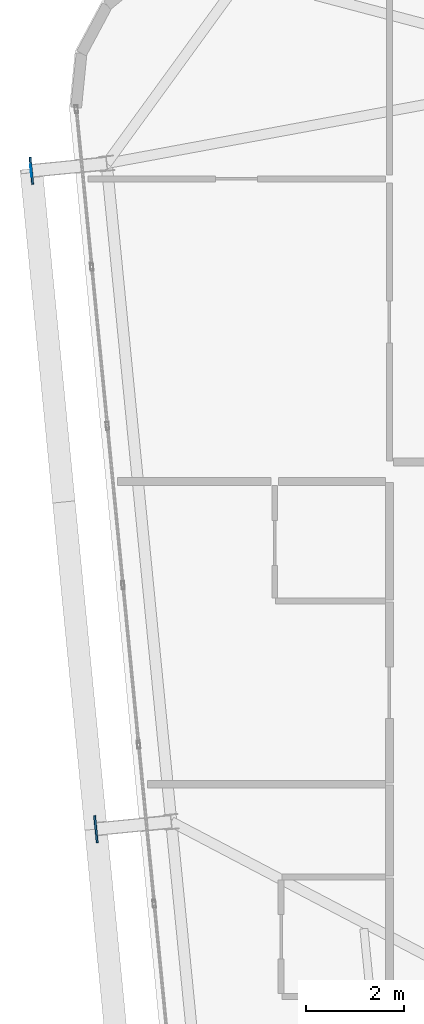
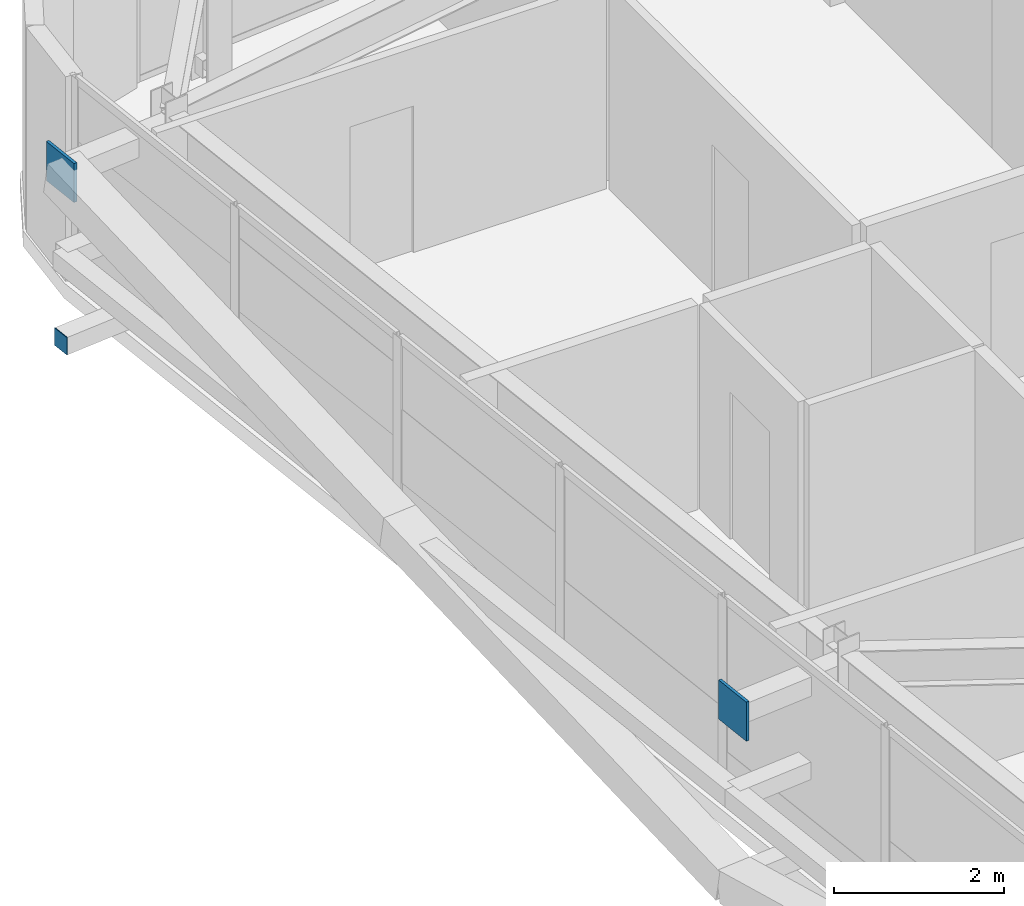
# One storey, part 40 of 53: 3 plates.
"""IFC4 building model written with IfcOpenShell, lengths in metres."""

import ifcopenshell
import ifcopenshell.guid

model = None  # the IFC model being written
_history = None  # IfcOwnerHistory: only IFC2X3 demands one
_inside = {}  # id of a spatial element -> (the spatial element, [elements in it])
_under = {}  # id of a project, library or spatial element -> (it, [spatial elements below it])
_declared = {}  # id of a project -> (the project, [libraries it declares])
_typed = {}  # id of a type object -> (the type object, [elements of that type])
_made_of = {}  # id of a material, layer set ... -> (it, [elements and type objects made of it])


def new_model(schema):
    """Start an empty IFC model of exactly this schema.

    Asked for "IFC4X3", IfcOpenShell would pick the latest addendum, in which some entities
    have other attributes; the version numbers below select the first issue.
    IFC2X3 requires an IfcOwnerHistory on every rooted entity: one is made here for all.
    """
    global model, _history
    if schema == "IFC4X3":
        model = ifcopenshell.file(schema_version=(4, 3, 0, 0))
    else:
        model = ifcopenshell.file(schema=schema)
    _inside.clear()
    _under.clear()
    _declared.clear()
    _typed.clear()
    _made_of.clear()
    _history = None
    if model.schema == "IFC2X3":
        org = make("IfcOrganization", Name="unknown")
        user = make(
            "IfcPersonAndOrganization",
            ThePerson=make("IfcPerson", FamilyName="unknown"),
            TheOrganization=org,
        )
        app = make(
            "IfcApplication",
            ApplicationDeveloper=org,
            Version="unknown",
            ApplicationFullName="unknown",
            ApplicationIdentifier="unknown",
        )
        _history = make(
            "IfcOwnerHistory",
            OwningUser=user,
            OwningApplication=app,
            ChangeAction="ADDED",
            CreationDate=0,
        )
    return model


def make(cls, **values):
    """One entity of the class cls with the attributes given. An attribute that is None is left unset."""
    return model.create_entity(
        cls, **{name: value for name, value in values.items() if value is not None}
    )


def rooted(cls, **values):
    """An entity with a GlobalId (a new one), such as an element, a storey or a relation."""
    return make(cls, GlobalId=ifcopenshell.guid.new(), OwnerHistory=_history, **values)


def si_unit(unit_type, name, prefix=None):
    """IfcSIUnit, for example si_unit("LENGTHUNIT", "METRE", prefix="MILLI")."""
    return make("IfcSIUnit", UnitType=unit_type, Prefix=prefix, Name=name)


def assignment(units):
    """IfcUnitAssignment: the units of a project."""
    return None if units is None else make("IfcUnitAssignment", Units=units)


def point(xyz):
    """IfcCartesianPoint."""
    return None if xyz is None else make("IfcCartesianPoint", Coordinates=xyz)


def direction(xyz):
    """IfcDirection."""
    return None if xyz is None else make("IfcDirection", DirectionRatios=xyz)


def frame(location, z_axis=None, x_axis=None):
    """IfcAxis2Placement3D, a coordinate frame: its origin and axes. An axis left out is left unset."""
    return make(
        "IfcAxis2Placement3D",
        Location=point(location),
        Axis=direction(z_axis),
        RefDirection=direction(x_axis),
    )


def frame_2d(location, x_axis=None):
    """IfcAxis2Placement2D, a coordinate frame in the plane: its origin and x axis."""
    return make(
        "IfcAxis2Placement2D", Location=point(location), RefDirection=direction(x_axis)
    )


def origin():
    """The frame at (0, 0, 0) with its axes left unset."""
    return frame((0.0, 0.0, 0.0))


def origin_2d():
    """The frame at (0, 0) in the plane with its x axis left unset."""
    return frame_2d((0.0, 0.0))


def place(relative_to, where):
    """IfcLocalPlacement: puts the frame where relative to a parent placement (None: the world)."""
    return make(
        "IfcLocalPlacement", PlacementRelTo=relative_to, RelativePlacement=where
    )


def context(
    kind, dimensions, precision=None, world=None, true_north=None, identifier=None
):
    """IfcGeometricRepresentationContext, for example the 3D "Model" context."""
    return make(
        "IfcGeometricRepresentationContext",
        ContextIdentifier=identifier,
        ContextType=kind,
        CoordinateSpaceDimension=dimensions,
        Precision=precision,
        WorldCoordinateSystem=world,
        TrueNorth=true_north,
    )


def subcontext(parent, identifier, kind, view, scale=None):
    """IfcGeometricRepresentationSubContext, for example "Body" below "Model"."""
    return make(
        "IfcGeometricRepresentationSubContext",
        ContextIdentifier=identifier,
        ContextType=kind,
        ParentContext=parent,
        TargetScale=scale,
        TargetView=view,
    )


def project(units=None, contexts=None):
    """IfcProject with its units and contexts."""
    return rooted(
        "IfcProject",
        Name="project",
        RepresentationContexts=contexts,
        UnitsInContext=assignment(units),
    )


def spatial(cls, under=None, at=None, **own):
    """A site, building, storey or space (cls), placed at a placement, below another one or the project."""
    s = rooted(cls, ObjectPlacement=at, **own)
    if under is not None:
        _under.setdefault(under.id(), (under, []))[1].append(s)
    return s


def profile(cls, at=None, kind="AREA", **sizes):
    """A parametric profile (cls). Its sizes go by their IFC names, for example OverallWidth=200.0."""
    return make(cls, ProfileType=kind, Position=at, **sizes)


def rectangle(**sizes):
    """IfcRectangleProfileDef."""
    return profile("IfcRectangleProfileDef", **sizes)


def extrude(swept, where, along, depth):
    """IfcExtrudedAreaSolid: the profile swept, set in the frame where, extruded along a direction by depth."""
    return make(
        "IfcExtrudedAreaSolid",
        SweptArea=swept,
        Position=where,
        ExtrudedDirection=direction(along),
        Depth=depth,
    )


def shape(context_of_items, identifier, shape_type, items):
    """IfcShapeRepresentation: the items that make up one representation, for example the "Body"."""
    return make(
        "IfcShapeRepresentation",
        ContextOfItems=context_of_items,
        RepresentationIdentifier=identifier,
        RepresentationType=shape_type,
        Items=items,
    )


def source(mapping_origin, context_of_items, identifier, shape_type, items):
    """IfcRepresentationMap: a shape defined once, which mapped items show again and again."""
    return make(
        "IfcRepresentationMap",
        MappingOrigin=mapping_origin,
        MappedRepresentation=shape(context_of_items, identifier, shape_type, items),
    )


def transform(
    local_origin,
    x_axis=None,
    y_axis=None,
    z_axis=None,
    scale=None,
    scale2=None,
    scale3=None,
    uniform=True,
):
    """IfcCartesianTransformationOperator3D, or its non-uniform kind. x_axis, y_axis, z_axis: its Axis1, 2, 3."""
    if uniform:
        return make(
            "IfcCartesianTransformationOperator3D",
            Axis1=direction(x_axis),
            Axis2=direction(y_axis),
            LocalOrigin=point(local_origin),
            Scale=scale,
            Axis3=direction(z_axis),
        )
    return make(
        "IfcCartesianTransformationOperator3DnonUniform",
        Axis1=direction(x_axis),
        Axis2=direction(y_axis),
        LocalOrigin=point(local_origin),
        Scale=scale,
        Axis3=direction(z_axis),
        Scale2=scale2,
        Scale3=scale3,
    )


def mapped(mapping_source, mapping_target):
    """IfcMappedItem: shows the shape of a source again, moved by a transform."""
    return make(
        "IfcMappedItem", MappingSource=mapping_source, MappingTarget=mapping_target
    )


def material(Name=None, Category=None):
    """IfcMaterial."""
    return make("IfcMaterial", Name=Name, Category=Category)


def layer(
    of_material, thickness, ventilated=None, Name=None, Category=None, Priority=None
):
    """IfcMaterialLayer: one layer of a wall or slab, of a material (None: an air gap)."""
    return make(
        "IfcMaterialLayer",
        Material=of_material,
        LayerThickness=thickness,
        IsVentilated=ventilated,
        Name=Name,
        Category=Category,
        Priority=Priority,
    )


def layer_set(layers, Name=None):
    """IfcMaterialLayerSet."""
    return make("IfcMaterialLayerSet", MaterialLayers=layers, LayerSetName=Name)


def made_of(thing, what):
    """Note that an element or type object is made of a material, layer set ...; save() writes the relation."""
    if what is not None:
        _made_of.setdefault(what.id(), (what, []))[1].append(thing)
    return thing


def type_object(cls, material=None, **own):
    """A type object (cls), such as IfcWallType, which elements share."""
    return made_of(rooted(cls, **own), material)


def element(
    cls,
    number,
    at=None,
    inside=None,
    cuts=None,
    type_object=None,
    material=None,
    context=None,
    identifier="Body",
    shape_type=None,
    held_by="IfcProductDefinitionShape",
    body=None,
    shapes=None,
    **own,
):
    """One element of the class cls, such as IfcWall. Its Tag is "e" and its number.

    at: its placement. inside: the storey or other place that contains it. cuts: it is an
    opening in that element (IfcRelVoidsElement). A single representation is given by context,
    identifier, shape_type and body (its items); several are given by shapes. held_by: the class
    of the entity that holds the representations. save() writes the other relations.
    """
    e = rooted(cls, Tag="e%d" % number, ObjectPlacement=at, **own)
    if body is not None:
        shapes = [shape(context, identifier, shape_type, body)]
    if shapes is not None:
        e.Representation = make(held_by, Representations=shapes)
    if inside is not None:
        _inside.setdefault(inside.id(), (inside, []))[1].append(e)
    if cuts is not None:
        rooted(
            "IfcRelVoidsElement", RelatingBuildingElement=cuts, RelatedOpeningElement=e
        )
    if type_object is not None:
        _typed.setdefault(type_object.id(), (type_object, []))[1].append(e)
    return made_of(e, material)


def aggregate(whole, parts):
    """IfcRelAggregates: a whole, such as a stair, and the parts it consists of."""
    return rooted("IfcRelAggregates", RelatingObject=whole, RelatedObjects=parts)


def save(model, path):
    """Write the relations noted so far, then the file.

    IfcRelAggregates (storeys below a building ...), IfcRelContainedInSpatialStructure (elements
    in a storey), IfcRelDefinesByType, IfcRelAssociatesMaterial and IfcRelDeclares: one each for
    every whole, place, type object, material and project.
    """
    for whole, parts in _under.values():
        aggregate(whole, parts)
    for where, things in _inside.values():
        rooted(
            "IfcRelContainedInSpatialStructure",
            RelatedElements=things,
            RelatingStructure=where,
        )
    for kind, things in _typed.values():
        rooted("IfcRelDefinesByType", RelatedObjects=things, RelatingType=kind)
    for what, things in _made_of.values():
        rooted("IfcRelAssociatesMaterial", RelatedObjects=things, RelatingMaterial=what)
    for by, libraries in _declared.values():
        rooted("IfcRelDeclares", RelatingContext=by, RelatedDefinitions=libraries)
    model.write(path)


model = new_model("IFC4")

# Units and contexts
model_context = context("Model", 3, precision=1e-05, world=origin(), true_north=direction((0.0, 1.0)))
body_context = subcontext(model_context, "Body", "Model", "MODEL_VIEW")
ifc_project = project(units=[si_unit("LENGTHUNIT", "METRE"), si_unit("AREAUNIT", "SQUARE_METRE"), si_unit("VOLUMEUNIT", "CUBIC_METRE"), si_unit("PLANEANGLEUNIT", "RADIAN"), si_unit("MASSUNIT", "GRAM", prefix="KILO")], contexts=[model_context])

# Site, building, storey
site_placement = place(None, origin())
site = spatial("IfcSite", under=ifc_project, at=site_placement, CompositionType="ELEMENT")
building_placement = place(site_placement, origin())
building = spatial("IfcBuilding", under=site, at=building_placement, Name="Taldren Reach Tower", CompositionType="ELEMENT")
storey_placement = place(building_placement, frame((0.0, 0.0, 84.0)))
storey = spatial("IfcBuildingStorey", under=building, at=storey_placement, Name="L25", CompositionType="ELEMENT", Elevation=84.0)

# Plates
ifc_material_1 = material(Name="Steel Gr 450 (C450L0)", Category="steel")
ifc_layer_1 = layer(ifc_material_1, 0.0400390625)
ifc_layer_set_1 = layer_set([ifc_layer_1], Name="Steel Gr 450 (C450L0)")
plate_type_1 = type_object("IfcPlateType", Name="PL-GUSSET-40", PredefinedType="SHEET", material=ifc_layer_set_1)
shared_shape_1 = source(origin(), body_context, "Body", "SweptSolid", [
    extrude(rectangle(XDim=0.56005859375, YDim=0.0400390625, at=origin_2d()), origin(), (0.0, 0.0, 1.0), 0.56005859375),
])
for number, where, z_axis, x_axis, name in (
    (1, (8.587890625, 16.479736328125, 2.369873046875), (0.0, 0.0, 1.0), (-0.097582899759, 0.995227399982, 0.0), "Exoskeleton star-node gusset plate B2-W2 L25"),
    (2, (7.265625, 29.965087890625, 2.369873046875), (0.0, 0.0, 1.0), (-0.097582899759, 0.995227399982, 0.0), "Exoskeleton star-node gusset plate B2-W3 L25"),
):
    element("IfcPlate", number, at=place(storey_placement, frame(where, z_axis=z_axis, x_axis=x_axis)), inside=storey, type_object=plate_type_1, Name=name, PredefinedType="SHEET", context=body_context, shape_type="MappedRepresentation", body=[
        mapped(shared_shape_1, transform((0.0, 0.0, 0.0), scale=1.0)),
    ])
ifc_material_2 = material(Name="Steel Gr 350 (C350L0)", Category="steel")
ifc_layer_2 = layer(ifc_material_2, 0.011962890625)
ifc_layer_set_2 = layer_set([ifc_layer_2], Name="Steel Gr 350 (C350L0)")
plate_type_2 = type_object("IfcPlateType", Name="PL-CAP-250", PredefinedType="SHEET", material=ifc_layer_set_2)
shared_shape_2 = source(origin(), body_context, "Body", "SweptSolid", [
    extrude(rectangle(XDim=0.011962890625, YDim=0.25, at=origin_2d()), origin(), (0.0, 0.0, 1.0), 0.25),
])
plate_placement = place(storey_placement, frame((7.259765625, 29.964599609375, 0.094970703125), z_axis=(0.0, 0.0, 1.0), x_axis=(0.995227399982, 0.097582899759, 0.0)))
element("IfcPlate", 3, at=plate_placement, inside=storey, type_object=plate_type_2, Name="Tie strut end cap plate B2-W3 L25", PredefinedType="SHEET", context=body_context, shape_type="MappedRepresentation", body=[
    mapped(shared_shape_2, transform((0.0, 0.0, 0.0), scale=1.0)),
])

save(model, "model.ifc")
